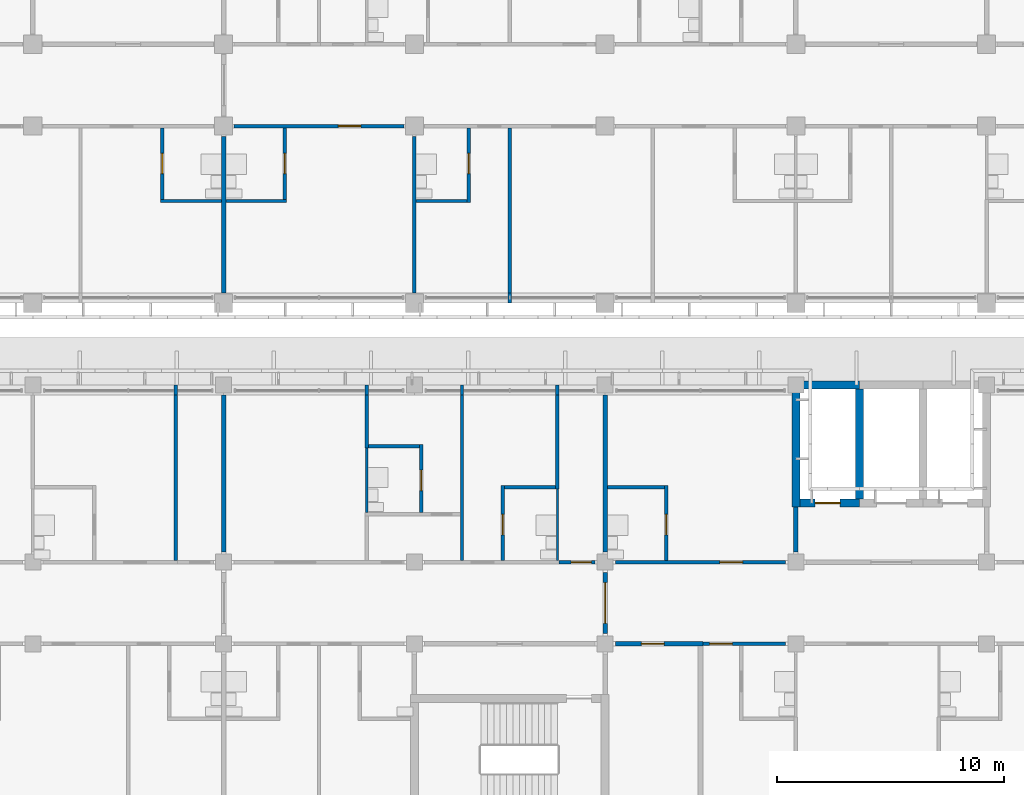
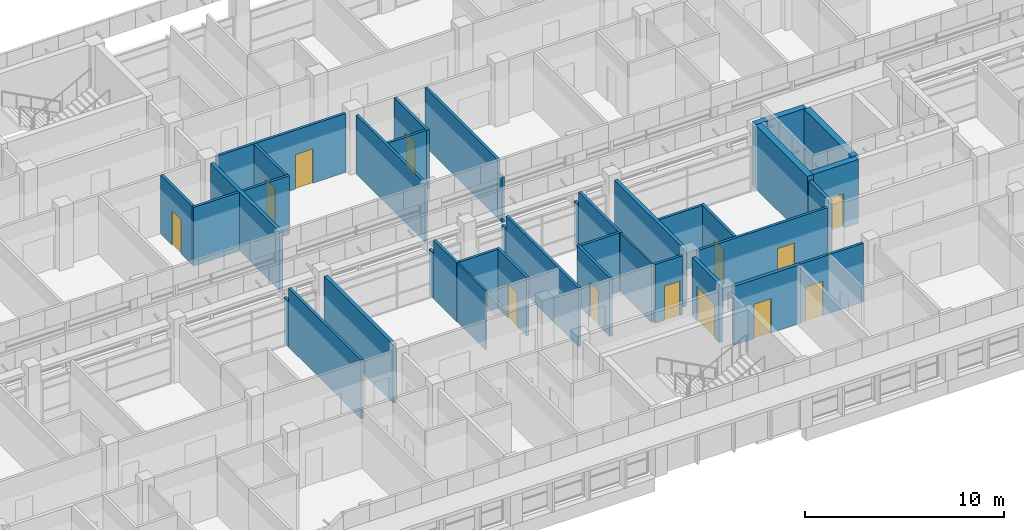
# One storey, part 34 of 71: 39 walls, 13 doors, 13 openings.
"""IFC4 building model written with IfcOpenShell, lengths in metres."""

from ifc_helpers import new_model, si_unit, direction, frame, frame_2d, origin, place, context, subcontext, project, spatial, rectangle, extrude, material, layer, layer_set, type_object, element, fill, save


model = new_model("IFC4")

# Units and contexts
model_context = context("Model", 3, precision=1e-05, world=origin(), true_north=direction((0.0, 1.0)))
body_context = subcontext(model_context, "Body", "Model", "MODEL_VIEW")
ifc_project = project(units=[si_unit("LENGTHUNIT", "METRE"), si_unit("AREAUNIT", "SQUARE_METRE"), si_unit("VOLUMEUNIT", "CUBIC_METRE"), si_unit("PLANEANGLEUNIT", "RADIAN"), si_unit("MASSUNIT", "GRAM", prefix="KILO")], contexts=[model_context])

# Site, building, storey
site_placement = place(None, origin())
site = spatial("IfcSite", under=ifc_project, at=site_placement, CompositionType="ELEMENT")
building_placement = place(site_placement, origin())
building = spatial("IfcBuilding", under=site, at=building_placement, Name="Bougainvillea Quay General Hospital", CompositionType="ELEMENT")
storey_placement = place(building_placement, frame((0.0, 0.0, 24.89990234375)))
storey = spatial("IfcBuildingStorey", under=building, at=storey_placement, Name="L05", CompositionType="ELEMENT", Elevation=24.89990234375)

# Walls
ifc_material_1 = material(Name="Gypsum board partition on steel studs", Category="steel")
ifc_layer_1 = layer(ifc_material_1, 0.10009765625)
ifc_layer_set_1 = layer_set([ifc_layer_1], Name="Gypsum board partition on steel studs")
wall_type_1 = type_object("IfcWallType", Name="Partition 100 Gypsum board partition", PredefinedType="PARTITIONING", material=ifc_layer_set_1)
wall_1_placement = place(storey_placement, frame((123.89990234375, 129.074951171875, 0.0), z_axis=(0.0, 0.0, 1.0), x_axis=(0.0, 1.0, 0.0)))
element("IfcWall", 1, at=wall_1_placement, inside=storey, type_object=wall_type_1, Name="Partition 100 mm", PredefinedType="PARTITIONING", context=body_context, shape_type="SweptSolid", body=[
    extrude(rectangle(XDim=3.150146484375, YDim=0.10009765625, at=frame_2d((1.5751953125, 0.0))), origin(), (0.0, 0.0, 1.0), 3.60009765625),
])
wall_2_placement = place(storey_placement, frame((115.5, 131.175048828125, 0.0), z_axis=(0.0, 0.0, 1.0), x_axis=(0.0, 1.0, 0.0)))
element("IfcWall", 2, at=wall_2_placement, inside=storey, type_object=wall_type_1, Name="Partition 100 mm", PredefinedType="PARTITIONING", context=body_context, shape_type="SweptSolid", body=[
    extrude(rectangle(XDim=2.849853515625, YDim=0.10009765625, at=frame_2d((1.4248046875, 0.0))), origin(), (0.0, 0.0, 1.0), 3.60009765625),
])
ifc_material_2 = material(Name="Gypsum board partition on steel studs, insulated", Category="steel")
ifc_layer_2 = layer(ifc_material_2, 0.14990234375)
ifc_layer_set_2 = layer_set([ifc_layer_2], Name="Gypsum board partition on steel studs, insulated")
wall_type_2 = type_object("IfcWallType", Name="Partition 150 Gypsum board partition", PredefinedType="PARTITIONING", material=ifc_layer_set_2)
wall_3_placement = place(storey_placement, frame((107.10009765625, 129.074951171875, 0.0), z_axis=(0.0, 0.0, 1.0), x_axis=(0.0, 1.0, 0.0)))
element("IfcWall", 3, at=wall_3_placement, inside=storey, type_object=wall_type_2, Name="Partition 150 mm", PredefinedType="PARTITIONING", context=body_context, shape_type="SweptSolid", body=[
    extrude(rectangle(XDim=7.275146484375, YDim=0.14990234375, at=frame_2d((3.6376953125, 0.0))), origin(), (0.0, 0.0, 1.0), 3.60009765625),
])
wall_4_placement = place(storey_placement, frame((107.10009765625, 136.35009765625, 0.0), z_axis=(0.0, 0.0, 1.0), x_axis=(0.0, 1.0, 0.0)))
element("IfcWall", 4, at=wall_4_placement, inside=storey, type_object=wall_type_2, Name="Partition 150 mm", PredefinedType="PARTITIONING", context=body_context, shape_type="SweptSolid", body=[
    extrude(rectangle(XDim=0.449951171875, YDim=0.14990234375, at=frame_2d((0.22509765625, 0.0))), origin(), (0.0, 0.0, 1.0), 2.780029296875),
])
wall_5_placement = place(storey_placement, frame((119.699951171875, 129.074951171875, 0.0), z_axis=(0.0, 0.0, 1.0), x_axis=(0.0, 1.0, 0.0)))
element("IfcWall", 5, at=wall_5_placement, inside=storey, type_object=wall_type_2, Name="Partition 150 mm", PredefinedType="PARTITIONING", context=body_context, shape_type="SweptSolid", body=[
    extrude(rectangle(XDim=7.275146484375, YDim=0.14990234375, at=frame_2d((3.6376953125, 0.0))), origin(), (0.0, 0.0, 1.0), 3.60009765625),
])
wall_6_placement = place(storey_placement, frame((119.699951171875, 136.35009765625, 0.0), z_axis=(0.0, 0.0, 1.0), x_axis=(0.0, 1.0, 0.0)))
element("IfcWall", 6, at=wall_6_placement, inside=storey, type_object=wall_type_2, Name="Partition 150 mm", PredefinedType="PARTITIONING", context=body_context, shape_type="SweptSolid", body=[
    extrude(rectangle(XDim=0.449951171875, YDim=0.14990234375, at=frame_2d((0.22509765625, 0.0))), origin(), (0.0, 0.0, 1.0), 2.780029296875),
])
wall_7_placement = place(storey_placement, frame((117.60009765625, 140.85009765625, 0.0), z_axis=(0.0, 0.0, 1.0), x_axis=(0.0, 1.0, 0.0)))
element("IfcWall", 7, at=wall_7_placement, inside=storey, type_object=wall_type_2, Name="Partition 150 mm", PredefinedType="PARTITIONING", context=body_context, shape_type="SweptSolid", body=[
    extrude(rectangle(XDim=6.89990234375, YDim=0.14990234375, at=frame_2d((3.449951171875, 0.0))), origin(), (0.0, 0.0, 1.0), 3.60009765625),
])
wall_8_placement = place(storey_placement, frame((121.800048828125, 140.39990234375, 0.0), z_axis=(0.0, 0.0, 1.0), x_axis=(0.0, 1.0, 0.0)))
element("IfcWall", 8, at=wall_8_placement, inside=storey, type_object=wall_type_2, Name="Partition 150 mm", PredefinedType="PARTITIONING", context=body_context, shape_type="SweptSolid", body=[
    extrude(rectangle(XDim=0.4501953125, YDim=0.14990234375, at=frame_2d((0.22509765625, 0.0))), origin(), (0.0, 0.0, 1.0), 2.780029296875),
])
wall_9_placement = place(storey_placement, frame((121.800048828125, 140.85009765625, 0.0), z_axis=(0.0, 0.0, 1.0), x_axis=(0.0, 1.0, 0.0)))
element("IfcWall", 9, at=wall_9_placement, inside=storey, type_object=wall_type_2, Name="Partition 150 mm", PredefinedType="PARTITIONING", context=body_context, shape_type="SweptSolid", body=[
    extrude(rectangle(XDim=7.27490234375, YDim=0.14990234375, at=frame_2d((3.637451171875, 0.0))), origin(), (0.0, 0.0, 1.0), 3.60009765625),
])
for number, where, z_axis, x_axis, name in (
    (10, (106.425048828125, 144.89990234375, 0.0), (0.0, 0.0, 1.0), (1.0, 0.0, 0.0), "Partition 150 mm"),
    (11, (109.300048828125, 144.89990234375, 0.0), (0.0, 0.0, 1.0), (1.0, 0.0, 0.0), "Partition 150 mm"),
):
    element("IfcWall", number, at=place(storey_placement, frame(where, z_axis=z_axis, x_axis=x_axis)), inside=storey, type_object=wall_type_2, Name=name, PredefinedType="PARTITIONING", context=body_context, shape_type="SweptSolid", body=[
        extrude(rectangle(XDim=2.675048828125, YDim=0.14990234375, at=frame_2d((1.33740234375, 0.0))), origin(), (0.0, 0.0, 1.0), 3.60009765625),
    ])
wall_10_placement = place(storey_placement, frame((123.89990234375, 132.22509765625, 0.0), z_axis=(0.0, 0.0, 1.0), x_axis=(0.0, 1.0, 0.0)))
element("IfcWall", 12, at=wall_10_placement, inside=storey, type_object=wall_type_2, Name="Partition 150 mm", PredefinedType="PARTITIONING", context=body_context, shape_type="SweptSolid", body=[
    extrude(rectangle(XDim=4.125, YDim=0.14990234375, at=frame_2d((2.0625, 0.0))), origin(), (0.0, 0.0, 1.0), 3.60009765625),
])
wall_11_placement = place(storey_placement, frame((123.89990234375, 136.35009765625, 0.0), z_axis=(0.0, 0.0, 1.0), x_axis=(0.0, 1.0, 0.0)))
element("IfcWall", 13, at=wall_11_placement, inside=storey, type_object=wall_type_2, Name="Partition 150 mm", PredefinedType="PARTITIONING", context=body_context, shape_type="SweptSolid", body=[
    extrude(rectangle(XDim=0.449951171875, YDim=0.14990234375, at=frame_2d((0.22509765625, 0.0))), origin(), (0.0, 0.0, 1.0), 2.780029296875),
])

# Wall, opening, door
wall_12_placement = place(storey_placement, frame((121.5, 129.074951171875, 0.0), z_axis=(0.0, 0.0, 1.0), x_axis=(0.0, 1.0, 0.0)))
wall_12 = element("IfcWall", 14, at=wall_12_placement, inside=storey, type_object=wall_type_2, Name="Partition 150 mm", PredefinedType="PARTITIONING", context=body_context, shape_type="SweptSolid", body=[
    extrude(rectangle(XDim=3.300048828125, YDim=0.14990234375, at=frame_2d((1.64990234375, 0.0))), origin(), (0.0, 0.0, 1.0), 3.60009765625),
])
opening_1_placement = place(wall_12_placement, frame((1.125, 0.0, 0.0)))
opening_1 = element("IfcOpeningElement", 15, at=opening_1_placement, cuts=wall_12, Name="Opening L05.121", PredefinedType="OPENING", context=body_context, shape_type="SweptSolid", body=[
    extrude(rectangle(XDim=0.89990234375, YDim=2.10009765625, at=frame_2d((0.449951171875, 1.050048828125))), frame((0.0, 0.0849609375, 0.0), z_axis=(0.0, -1.0, 0.0), x_axis=(1.0, 0.0, 0.0)), (0.0, 0.0, 1.0), 0.169921875),
])
ifc_material_3 = material(Name="Solid-core timber door leaf in steel frame", Category="steel")
door_type_1 = type_object("IfcDoorType", Name="Single leaf door 900x2100", OperationType="NOTDEFINED", PredefinedType="DOOR", material=ifc_material_3)
door_1_placement = place(opening_1_placement, frame((0.89990234375, 0.0, 0.0), z_axis=(0.0, 0.0, 1.0), x_axis=(-1.0, 0.0, 0.0)))
door_1 = element("IfcDoor", 16, at=door_1_placement, inside=storey, type_object=door_type_1, Name="DT07 L05.121", OperationType="SINGLE_SWING_RIGHT", OverallHeight=2.10009765625, OverallWidth=0.89990234375, PredefinedType="DOOR", context=body_context, shape_type="SweptSolid", body=[
    extrude(rectangle(XDim=0.89990234375, YDim=2.10009765625, at=frame_2d((0.449951171875, 1.050048828125))), frame((0.0, 0.02490234375, 0.0), z_axis=(0.0, -1.0, 0.0), x_axis=(1.0, 0.0, 0.0)), (0.0, 0.0, 1.0), 0.050048828125),
])
fill(opening_1, door_1)

wall_13_placement = place(storey_placement, frame((128.699951171875, 129.074951171875, 0.0), z_axis=(0.0, 0.0, 1.0), x_axis=(0.0, 1.0, 0.0)))
wall_13 = element("IfcWall", 17, at=wall_13_placement, inside=storey, type_object=wall_type_2, Name="Partition 150 mm", PredefinedType="PARTITIONING", context=body_context, shape_type="SweptSolid", body=[
    extrude(rectangle(XDim=3.300048828125, YDim=0.14990234375, at=frame_2d((1.64990234375, 0.0))), origin(), (0.0, 0.0, 1.0), 3.60009765625),
])
opening_2_placement = place(wall_13_placement, frame((1.125, 0.0, 0.0)))
opening_2 = element("IfcOpeningElement", 18, at=opening_2_placement, cuts=wall_13, Name="Opening L05.124", PredefinedType="OPENING", context=body_context, shape_type="SweptSolid", body=[
    extrude(rectangle(XDim=0.89990234375, YDim=2.10009765625, at=frame_2d((0.449951171875, 1.050048828125))), frame((0.0, 0.0849609375, 0.0), z_axis=(0.0, -1.0, 0.0), x_axis=(1.0, 0.0, 0.0)), (0.0, 0.0, 1.0), 0.169921875),
])
door_2_placement = place(opening_2_placement, origin())
door_2 = element("IfcDoor", 19, at=door_2_placement, inside=storey, type_object=door_type_1, Name="DT07 L05.124", OperationType="SINGLE_SWING_LEFT", OverallHeight=2.10009765625, OverallWidth=0.89990234375, PredefinedType="DOOR", context=body_context, shape_type="SweptSolid", body=[
    extrude(rectangle(XDim=0.89990234375, YDim=2.10009765625, at=frame_2d((0.449951171875, 1.050048828125))), frame((0.0, 0.02490234375, 0.0), z_axis=(0.0, -1.0, 0.0), x_axis=(1.0, 0.0, 0.0)), (0.0, 0.0, 1.0), 0.050048828125),
])
fill(opening_2, door_2)

wall_14_placement = place(storey_placement, frame((106.5, 144.97509765625, 0.0), z_axis=(0.0, 0.0, 1.0), x_axis=(0.0, 1.0, 0.0)))
wall_14 = element("IfcWall", 20, at=wall_14_placement, inside=storey, type_object=wall_type_2, Name="Partition 150 mm", PredefinedType="PARTITIONING", context=body_context, shape_type="SweptSolid", body=[
    extrude(rectangle(XDim=3.14990234375, YDim=0.14990234375, at=frame_2d((1.574951171875, 0.0))), origin(), (0.0, 0.0, 1.0), 3.60009765625),
])
opening_3_placement = place(wall_14_placement, frame((1.125, 0.0, 0.0)))
opening_3 = element("IfcOpeningElement", 21, at=opening_3_placement, cuts=wall_14, Name="Opening L05.028", PredefinedType="OPENING", context=body_context, shape_type="SweptSolid", body=[
    extrude(rectangle(XDim=0.89990234375, YDim=2.10009765625, at=frame_2d((0.449951171875, 1.050048828125))), frame((0.0, 0.0849609375, 0.0), z_axis=(0.0, -1.0, 0.0), x_axis=(1.0, 0.0, 0.0)), (0.0, 0.0, 1.0), 0.169921875),
])
door_3_placement = place(opening_3_placement, frame((0.89990234375, 0.0, 0.0), z_axis=(0.0, 0.0, 1.0), x_axis=(-1.0, 0.0, 0.0)))
door_3 = element("IfcDoor", 22, at=door_3_placement, inside=storey, type_object=door_type_1, Name="DT07 L05.028", OperationType="SINGLE_SWING_LEFT", OverallHeight=2.10009765625, OverallWidth=0.89990234375, PredefinedType="DOOR", context=body_context, shape_type="SweptSolid", body=[
    extrude(rectangle(XDim=0.89990234375, YDim=2.10009765625, at=frame_2d((0.449951171875, 1.050048828125))), frame((0.0, 0.02490234375, 0.0), z_axis=(0.0, -1.0, 0.0), x_axis=(1.0, 0.0, 0.0)), (0.0, 0.0, 1.0), 0.050048828125),
])
fill(opening_3, door_3)

wall_15_placement = place(storey_placement, frame((111.89990234375, 144.97509765625, 0.0), z_axis=(0.0, 0.0, 1.0), x_axis=(0.0, 1.0, 0.0)))
wall_15 = element("IfcWall", 23, at=wall_15_placement, inside=storey, type_object=wall_type_2, Name="Partition 150 mm", PredefinedType="PARTITIONING", context=body_context, shape_type="SweptSolid", body=[
    extrude(rectangle(XDim=3.14990234375, YDim=0.14990234375, at=frame_2d((1.574951171875, 0.0))), origin(), (0.0, 0.0, 1.0), 3.60009765625),
])
opening_4_placement = place(wall_15_placement, frame((1.125, 0.0, 0.0)))
opening_4 = element("IfcOpeningElement", 24, at=opening_4_placement, cuts=wall_15, Name="Opening L05.032", PredefinedType="OPENING", context=body_context, shape_type="SweptSolid", body=[
    extrude(rectangle(XDim=0.89990234375, YDim=2.10009765625, at=frame_2d((0.449951171875, 1.050048828125))), frame((0.0, 0.0849609375, 0.0), z_axis=(0.0, -1.0, 0.0), x_axis=(1.0, 0.0, 0.0)), (0.0, 0.0, 1.0), 0.169921875),
])
door_4_placement = place(opening_4_placement, origin())
door_4 = element("IfcDoor", 25, at=door_4_placement, inside=storey, type_object=door_type_1, Name="DT07 L05.032", OperationType="SINGLE_SWING_RIGHT", OverallHeight=2.10009765625, OverallWidth=0.89990234375, PredefinedType="DOOR", context=body_context, shape_type="SweptSolid", body=[
    extrude(rectangle(XDim=0.89990234375, YDim=2.10009765625, at=frame_2d((0.449951171875, 1.050048828125))), frame((0.0, 0.02490234375, 0.0), z_axis=(0.0, -1.0, 0.0), x_axis=(1.0, 0.0, 0.0)), (0.0, 0.0, 1.0), 0.050048828125),
])
fill(opening_4, door_4)

wall_16_placement = place(storey_placement, frame((120.0, 144.824951171875, 0.0), z_axis=(0.0, 0.0, 1.0), x_axis=(0.0, 1.0, 0.0)))
wall_16 = element("IfcWall", 26, at=wall_16_placement, inside=storey, type_object=wall_type_2, Name="Partition 150 mm", PredefinedType="PARTITIONING", context=body_context, shape_type="SweptSolid", body=[
    extrude(rectangle(XDim=3.300048828125, YDim=0.14990234375, at=frame_2d((1.64990234375, 0.0))), origin(), (0.0, 0.0, 1.0), 3.60009765625),
])
opening_5_placement = place(wall_16_placement, frame((1.27490234375, 0.0, 0.0)))
opening_5 = element("IfcOpeningElement", 27, at=opening_5_placement, cuts=wall_16, Name="Opening L05.034", PredefinedType="OPENING", context=body_context, shape_type="SweptSolid", body=[
    extrude(rectangle(XDim=0.89990234375, YDim=2.10009765625, at=frame_2d((0.449951171875, 1.050048828125))), frame((0.0, 0.0849609375, 0.0), z_axis=(0.0, -1.0, 0.0), x_axis=(1.0, 0.0, 0.0)), (0.0, 0.0, 1.0), 0.169921875),
])
door_5_placement = place(opening_5_placement, origin())
door_5 = element("IfcDoor", 28, at=door_5_placement, inside=storey, type_object=door_type_1, Name="DT07 L05.034", OperationType="SINGLE_SWING_RIGHT", OverallHeight=2.10009765625, OverallWidth=0.89990234375, PredefinedType="DOOR", context=body_context, shape_type="SweptSolid", body=[
    extrude(rectangle(XDim=0.89990234375, YDim=2.10009765625, at=frame_2d((0.449951171875, 1.050048828125))), frame((0.0, 0.02490234375, 0.0), z_axis=(0.0, -1.0, 0.0), x_axis=(1.0, 0.0, 0.0)), (0.0, 0.0, 1.0), 0.050048828125),
])
fill(opening_5, door_5)

wall_17_placement = place(storey_placement, frame((117.89990234375, 131.175048828125, 0.0), z_axis=(0.0, 0.0, 1.0), x_axis=(0.0, 1.0, 0.0)))
wall_17 = element("IfcWall", 29, at=wall_17_placement, inside=storey, type_object=wall_type_2, Name="Partition 150 mm", PredefinedType="PARTITIONING", context=body_context, shape_type="SweptSolid", body=[
    extrude(rectangle(XDim=3.0, YDim=0.14990234375, at=frame_2d((1.5, 0.0))), origin(), (0.0, 0.0, 1.0), 3.60009765625),
])
opening_6_placement = place(wall_17_placement, frame((0.97509765625, 0.0, 0.0)))
opening_6 = element("IfcOpeningElement", 30, at=opening_6_placement, cuts=wall_17, Name="Opening L05.119", PredefinedType="OPENING", context=body_context, shape_type="SweptSolid", body=[
    extrude(rectangle(XDim=0.89990234375, YDim=2.10009765625, at=frame_2d((0.449951171875, 1.050048828125))), frame((0.0, 0.0849609375, 0.0), z_axis=(0.0, -1.0, 0.0), x_axis=(1.0, 0.0, 0.0)), (0.0, 0.0, 1.0), 0.169921875),
])
door_6_placement = place(opening_6_placement, origin())
door_6 = element("IfcDoor", 31, at=door_6_placement, inside=storey, type_object=door_type_1, Name="DT07 L05.119", OperationType="SINGLE_SWING_LEFT", OverallHeight=2.10009765625, OverallWidth=0.89990234375, PredefinedType="DOOR", context=body_context, shape_type="SweptSolid", body=[
    extrude(rectangle(XDim=0.89990234375, YDim=2.10009765625, at=frame_2d((0.449951171875, 1.050048828125))), frame((0.0, 0.02490234375, 0.0), z_axis=(0.0, -1.0, 0.0), x_axis=(1.0, 0.0, 0.0)), (0.0, 0.0, 1.0), 0.050048828125),
])
fill(opening_6, door_6)

# Walls
wall_18_placement = place(storey_placement, frame((115.5, 134.02490234375, 0.0), z_axis=(0.0, 0.0, 1.0), x_axis=(0.0, 1.0, 0.0)))
element("IfcWall", 32, at=wall_18_placement, inside=storey, type_object=wall_type_2, Name="Partition 150 mm", PredefinedType="PARTITIONING", context=body_context, shape_type="SweptSolid", body=[
    extrude(rectangle(XDim=2.3251953125, YDim=0.14990234375, at=frame_2d((1.16259765625, 0.0))), origin(), (0.0, 0.0, 1.0), 3.60009765625),
])
wall_19_placement = place(storey_placement, frame((115.5, 136.35009765625, 0.0), z_axis=(0.0, 0.0, 1.0), x_axis=(0.0, 1.0, 0.0)))
element("IfcWall", 33, at=wall_19_placement, inside=storey, type_object=wall_type_2, Name="Partition 150 mm", PredefinedType="PARTITIONING", context=body_context, shape_type="SweptSolid", body=[
    extrude(rectangle(XDim=0.449951171875, YDim=0.14990234375, at=frame_2d((0.22509765625, 0.0))), origin(), (0.0, 0.0, 1.0), 2.780029296875),
])
wall_20_placement = place(storey_placement, frame((126.10009765625, 132.300048828125, 0.0), z_axis=(0.0, 0.0, 1.0), x_axis=(1.0, 0.0, 0.0)))
element("IfcWall", 34, at=wall_20_placement, inside=storey, type_object=wall_type_2, Name="Partition 150 mm", PredefinedType="PARTITIONING", context=body_context, shape_type="SweptSolid", body=[
    extrude(rectangle(XDim=2.52490234375, YDim=0.14990234375, at=frame_2d((1.262451171875, 0.0))), origin(), (0.0, 0.0, 1.0), 3.60009765625),
])
for number, where, z_axis, x_axis, name in (
    (35, (115.574951171875, 134.10009765625, 0.0), (0.0, 0.0, 1.0), (1.0, 0.0, 0.0), "Partition 150 mm"),
    (36, (117.675048828125, 144.89990234375, 0.0), (0.0, 0.0, 1.0), (1.0, 0.0, 0.0), "Partition 150 mm"),
    (37, (121.574951171875, 132.300048828125, 0.0), (0.0, 0.0, 1.0), (1.0, 0.0, 0.0), "Partition 150 mm"),
):
    element("IfcWall", number, at=place(storey_placement, frame(where, z_axis=z_axis, x_axis=x_axis)), inside=storey, type_object=wall_type_2, Name=name, PredefinedType="PARTITIONING", context=body_context, shape_type="SweptSolid", body=[
        extrude(rectangle(XDim=2.25, YDim=0.14990234375, at=frame_2d((1.125, 0.0))), origin(), (0.0, 0.0, 1.0), 3.60009765625),
    ])

# Wall, opening, door
ifc_layer_3 = layer(ifc_material_2, 0.14990234375)
ifc_layer_set_3 = layer_set([ifc_layer_3], Name="Gypsum board partition on steel studs, insulated")
wall_type_3 = type_object("IfcWallType", Name="Partition 150 Gypsum board partition EI 30", PredefinedType="PARTITIONING", material=ifc_layer_set_3)
wall_21_placement = place(storey_placement, frame((117.14990234375, 148.199951171875, 0.0), z_axis=(0.0, 0.0, 1.0), x_axis=(-1.0, 0.0, 0.0)))
wall_21 = element("IfcWall", 38, at=wall_21_placement, inside=storey, type_object=wall_type_3, Name="Partition 150 mm EI 30", PredefinedType="PARTITIONING", context=body_context, shape_type="SweptSolid", body=[
    extrude(rectangle(XDim=7.5, YDim=0.14990234375, at=frame_2d((3.75, 0.0))), origin(), (0.0, 0.0, 1.0), 3.60009765625),
])
opening_7_placement = place(wall_21_placement, frame((1.89990234375, 0.0, 0.0)))
opening_7 = element("IfcOpeningElement", 39, at=opening_7_placement, cuts=wall_21, Name="Opening L05.031", PredefinedType="OPENING", context=body_context, shape_type="SweptSolid", body=[
    extrude(rectangle(XDim=1.0, YDim=2.10009765625, at=frame_2d((0.5, 1.050048828125))), frame((0.0, 0.0849609375, 0.0), z_axis=(0.0, -1.0, 0.0), x_axis=(1.0, 0.0, 0.0)), (0.0, 0.0, 1.0), 0.169921875),
])
door_type_2 = type_object("IfcDoorType", Name="Single leaf door 1000x2100 FD30S", OperationType="NOTDEFINED", PredefinedType="DOOR", material=ifc_material_3)
door_7_placement = place(opening_7_placement, origin())
door_7 = element("IfcDoor", 40, at=door_7_placement, inside=storey, type_object=door_type_2, Name="DT15 L05.031", OperationType="SINGLE_SWING_LEFT", OverallHeight=2.10009765625, OverallWidth=1.0, PredefinedType="DOOR", context=body_context, shape_type="SweptSolid", body=[
    extrude(rectangle(XDim=1.0, YDim=2.10009765625, at=frame_2d((0.5, 1.050048828125))), frame((0.0, 0.02490234375, 0.0), z_axis=(0.0, -1.0, 0.0), x_axis=(1.0, 0.0, 0.0)), (0.0, 0.0, 1.0), 0.050048828125),
])
fill(opening_7, door_7)

wall_22_placement = place(storey_placement, frame((133.949951171875, 125.39990234375, 0.0), z_axis=(0.0, 0.0, 1.0), x_axis=(-1.0, 0.0, 0.0)))
wall_22 = element("IfcWall", 41, at=wall_22_placement, inside=storey, type_object=wall_type_3, Name="Partition 150 mm EI 30", PredefinedType="PARTITIONING", context=body_context, shape_type="SweptSolid", body=[
    extrude(rectangle(XDim=3.64990234375, YDim=0.14990234375, at=frame_2d((1.824951171875, 0.0))), origin(), (0.0, 0.0, 1.0), 3.60009765625),
])
opening_8_placement = place(wall_22_placement, frame((2.35009765625, 0.0, 0.0)))
opening_8 = element("IfcOpeningElement", 42, at=opening_8_placement, cuts=wall_22, Name="Opening L05.125", PredefinedType="OPENING", context=body_context, shape_type="SweptSolid", body=[
    extrude(rectangle(XDim=1.0, YDim=2.10009765625, at=frame_2d((0.5, 1.050048828125))), frame((0.0, 0.0849609375, 0.0), z_axis=(0.0, -1.0, 0.0), x_axis=(1.0, 0.0, 0.0)), (0.0, 0.0, 1.0), 0.169921875),
])
door_8_placement = place(opening_8_placement, origin())
door_8 = element("IfcDoor", 43, at=door_8_placement, inside=storey, type_object=door_type_2, Name="DT15 L05.125", OperationType="SINGLE_SWING_RIGHT", OverallHeight=2.10009765625, OverallWidth=1.0, PredefinedType="DOOR", context=body_context, shape_type="SweptSolid", body=[
    extrude(rectangle(XDim=1.0, YDim=2.10009765625, at=frame_2d((0.5, 1.050048828125))), frame((0.0, 0.02490234375, 0.0), z_axis=(0.0, -1.0, 0.0), x_axis=(1.0, 0.0, 0.0)), (0.0, 0.0, 1.0), 0.050048828125),
])
fill(opening_8, door_8)

wall_23_placement = place(storey_placement, frame((126.449951171875, 129.0, 0.0), z_axis=(0.0, 0.0, 1.0), x_axis=(1.0, 0.0, 0.0)))
wall_23 = element("IfcWall", 44, at=wall_23_placement, inside=storey, type_object=wall_type_3, Name="Partition 150 mm EI 30", PredefinedType="PARTITIONING", context=body_context, shape_type="SweptSolid", body=[
    extrude(rectangle(XDim=7.5, YDim=0.14990234375, at=frame_2d((3.75, 0.0))), origin(), (0.0, 0.0, 1.0), 3.60009765625),
])
opening_9_placement = place(wall_23_placement, frame((4.60009765625, 0.0, 0.0)))
opening_9 = element("IfcOpeningElement", 45, at=opening_9_placement, cuts=wall_23, Name="Opening L05.123", PredefinedType="OPENING", context=body_context, shape_type="SweptSolid", body=[
    extrude(rectangle(XDim=1.0, YDim=2.10009765625, at=frame_2d((0.5, 1.050048828125))), frame((0.0, 0.0849609375, 0.0), z_axis=(0.0, -1.0, 0.0), x_axis=(1.0, 0.0, 0.0)), (0.0, 0.0, 1.0), 0.169921875),
])
door_9_placement = place(opening_9_placement, origin())
door_9 = element("IfcDoor", 46, at=door_9_placement, inside=storey, type_object=door_type_2, Name="DT15 L05.123", OperationType="SINGLE_SWING_RIGHT", OverallHeight=2.10009765625, OverallWidth=1.0, PredefinedType="DOOR", context=body_context, shape_type="SweptSolid", body=[
    extrude(rectangle(XDim=1.0, YDim=2.10009765625, at=frame_2d((0.5, 1.050048828125))), frame((0.0, 0.02490234375, 0.0), z_axis=(0.0, -1.0, 0.0), x_axis=(1.0, 0.0, 0.0)), (0.0, 0.0, 1.0), 0.050048828125),
])
fill(opening_9, door_9)

ifc_layer_4 = layer(ifc_material_2, 0.14990234375)
ifc_layer_set_4 = layer_set([ifc_layer_4], Name="Gypsum board partition on steel studs, insulated")
wall_type_4 = type_object("IfcWallType", Name="Partition 150 Gypsum board partition EI 60", PredefinedType="PARTITIONING", material=ifc_layer_set_4)
wall_24_placement = place(storey_placement, frame((123.97509765625, 129.0, 0.0), z_axis=(0.0, 0.0, 1.0), x_axis=(1.0, 0.0, 0.0)))
wall_24 = element("IfcWall", 47, at=wall_24_placement, inside=storey, type_object=wall_type_4, Name="Partition 150 mm EI 60", PredefinedType="PARTITIONING", context=body_context, shape_type="SweptSolid", body=[
    extrude(rectangle(XDim=1.574951171875, YDim=0.14990234375, at=frame_2d((0.78759765625, 0.0))), origin(), (0.0, 0.0, 1.0), 3.60009765625),
])
opening_10_placement = place(wall_24_placement, frame((0.52490234375, 0.0, 0.0)))
opening_10 = element("IfcOpeningElement", 48, at=opening_10_placement, cuts=wall_24, Name="Opening L05.122", PredefinedType="OPENING", context=body_context, shape_type="SweptSolid", body=[
    extrude(rectangle(XDim=0.89990234375, YDim=2.10009765625, at=frame_2d((0.449951171875, 1.050048828125))), frame((0.0, 0.0849609375, 0.0), z_axis=(0.0, -1.0, 0.0), x_axis=(1.0, 0.0, 0.0)), (0.0, 0.0, 1.0), 0.169921875),
])
door_type_3 = type_object("IfcDoorType", Name="Single leaf door 900x2100 FD60", OperationType="NOTDEFINED", PredefinedType="DOOR", material=ifc_material_3)
door_10_placement = place(opening_10_placement, origin())
door_10 = element("IfcDoor", 49, at=door_10_placement, inside=storey, type_object=door_type_3, Name="DT18 L05.122", OperationType="SINGLE_SWING_RIGHT", OverallHeight=2.10009765625, OverallWidth=0.89990234375, PredefinedType="DOOR", context=body_context, shape_type="SweptSolid", body=[
    extrude(rectangle(XDim=0.89990234375, YDim=2.10009765625, at=frame_2d((0.449951171875, 1.050048828125))), frame((0.0, 0.02490234375, 0.0), z_axis=(0.0, -1.0, 0.0), x_axis=(1.0, 0.0, 0.0)), (0.0, 0.0, 1.0), 0.050048828125),
])
fill(opening_10, door_10)

# Walls
ifc_material_4 = material(Name="Fire-rated autoclaved aerated block wall, plastered")
ifc_layer_5 = layer(ifc_material_4, 0.199951171875)
ifc_layer_set_5 = layer_set([ifc_layer_5], Name="Fire-rated autoclaved aerated block wall, plastered")
wall_type_5 = type_object("IfcWallType", Name="Partition 200 Fire-rated autoclaved aerated block wall EI 120", PredefinedType="SOLIDWALL", material=ifc_layer_set_5)
for number, where, z_axis, x_axis, name in (
    (50, (109.199951171875, 136.35009765625, 0.0), (0.0, 0.0, 1.0), (0.0, -1.0, 0.0), "Partition 200 mm EI 120"),
    (51, (126.0, 136.35009765625, 0.0), (0.0, 0.0, 1.0), (0.0, -1.0, 0.0), "Partition 200 mm EI 120"),
):
    element("IfcWall", number, at=place(storey_placement, frame(where, z_axis=z_axis, x_axis=x_axis)), inside=storey, type_object=wall_type_5, Name=name, PredefinedType="SOLIDWALL", context=body_context, shape_type="SweptSolid", body=[
        extrude(rectangle(XDim=6.900146484375, YDim=0.199951171875, at=frame_2d((3.4501953125, 0.0))), origin(), (0.0, 0.0, 1.0), 3.60009765625),
    ])

# Wall, opening, door
wall_25_placement = place(storey_placement, frame((126.0, 128.550048828125, 0.0), z_axis=(0.0, 0.0, 1.0), x_axis=(0.0, -1.0, 0.0)))
wall_25 = element("IfcWall", 52, at=wall_25_placement, inside=storey, type_object=wall_type_5, Name="Partition 200 mm EI 120", PredefinedType="SOLIDWALL", context=body_context, shape_type="SweptSolid", body=[
    extrude(rectangle(XDim=2.699951171875, YDim=0.199951171875, at=frame_2d((1.35009765625, 0.0))), origin(), (0.0, 0.0, 1.0), 3.60009765625),
])
opening_11_placement = place(wall_25_placement, frame((0.449951171875, 0.0, 0.0)))
opening_11 = element("IfcOpeningElement", 53, at=opening_11_placement, cuts=wall_25, Name="Opening L05.077", PredefinedType="OPENING", context=body_context, shape_type="SweptSolid", body=[
    extrude(rectangle(XDim=1.800048828125, YDim=2.10009765625, at=frame_2d((0.89990234375, 1.050048828125))), frame((0.0, 0.10986328125, 0.0), z_axis=(0.0, -1.0, 0.0), x_axis=(1.0, 0.0, 0.0)), (0.0, 0.0, 1.0), 0.219970703125),
])
ifc_material_5 = material(Name="Steel fire door leaves in steel frame", Category="steel")
door_type_4 = type_object("IfcDoorType", Name="Steel double leaf door 1800x2100 FD90", OperationType="DOUBLE_DOOR_SINGLE_SWING", PredefinedType="DOOR", material=ifc_material_5)
door_11_placement = place(opening_11_placement, origin())
door_11 = element("IfcDoor", 54, at=door_11_placement, inside=storey, type_object=door_type_4, Name="DT03 L05.077", OperationType="DOUBLE_DOOR_SINGLE_SWING", OverallHeight=2.10009765625, OverallWidth=1.800048828125, PredefinedType="DOOR", context=body_context, shape_type="SweptSolid", body=[
    extrude(rectangle(XDim=1.800048828125, YDim=2.10009765625, at=frame_2d((0.89990234375, 1.050048828125))), frame((0.0, 0.02490234375, 0.0), z_axis=(0.0, -1.0, 0.0), x_axis=(1.0, 0.0, 0.0)), (0.0, 0.0, 1.0), 0.050048828125),
])
fill(opening_11, door_11)

# Wall
wall_26_placement = place(storey_placement, frame((109.199951171875, 147.75, 0.0), z_axis=(0.0, 0.0, 1.0), x_axis=(0.0, -1.0, 0.0)))
element("IfcWall", 55, at=wall_26_placement, inside=storey, type_object=wall_type_5, Name="Partition 200 mm EI 120", PredefinedType="SOLIDWALL", context=body_context, shape_type="SweptSolid", body=[
    extrude(rectangle(XDim=6.89990234375, YDim=0.199951171875, at=frame_2d((3.449951171875, 0.0))), origin(), (0.0, 0.0, 1.0), 3.60009765625),
])

# Wall, opening, door
wall_27_placement = place(storey_placement, frame((126.449951171875, 125.39990234375, 0.0), z_axis=(0.0, 0.0, 1.0), x_axis=(1.0, 0.0, 0.0)))
wall_27 = element("IfcWall", 56, at=wall_27_placement, inside=storey, type_object=wall_type_5, Name="Partition 200 mm EI 120", PredefinedType="SOLIDWALL", context=body_context, shape_type="SweptSolid", body=[
    extrude(rectangle(XDim=3.85009765625, YDim=0.199951171875, at=frame_2d((1.925048828125, 0.0))), origin(), (0.0, 0.0, 1.0), 3.60009765625),
])
opening_12_placement = place(wall_27_placement, frame((1.14990234375, 0.0, 0.0)))
opening_12 = element("IfcOpeningElement", 57, at=opening_12_placement, cuts=wall_27, Name="Opening L05.145", PredefinedType="OPENING", context=body_context, shape_type="SweptSolid", body=[
    extrude(rectangle(XDim=1.0, YDim=2.10009765625, at=frame_2d((0.5, 1.050048828125))), frame((0.0, 0.10986328125, 0.0), z_axis=(0.0, -1.0, 0.0), x_axis=(1.0, 0.0, 0.0)), (0.0, 0.0, 1.0), 0.219970703125),
])
ifc_material_6 = material(Name="Steel fire door leaf in steel frame", Category="steel")
door_type_5 = type_object("IfcDoorType", Name="Steel single leaf door 1000x2100 FD90", OperationType="NOTDEFINED", PredefinedType="DOOR", material=ifc_material_6)
door_12_placement = place(opening_12_placement, frame((1.0, 0.0, 0.0), z_axis=(0.0, 0.0, 1.0), x_axis=(-1.0, 0.0, 0.0)))
door_12 = element("IfcDoor", 58, at=door_12_placement, inside=storey, type_object=door_type_5, Name="DT11 L05.145", OperationType="SINGLE_SWING_RIGHT", OverallHeight=2.10009765625, OverallWidth=1.0, PredefinedType="DOOR", context=body_context, shape_type="SweptSolid", body=[
    extrude(rectangle(XDim=1.0, YDim=2.10009765625, at=frame_2d((0.5, 1.050048828125))), frame((0.0, 0.02490234375, 0.0), z_axis=(0.0, -1.0, 0.0), x_axis=(1.0, 0.0, 0.0)), (0.0, 0.0, 1.0), 0.050048828125),
])
fill(opening_12, door_12)

# Walls
wall_28_placement = place(storey_placement, frame((134.39990234375, 129.449951171875, 0.0), z_axis=(0.0, 0.0, 1.0), x_axis=(0.0, 1.0, 0.0)))
element("IfcWall", 59, at=wall_28_placement, inside=storey, type_object=wall_type_5, Name="Partition 200 mm EI 120", PredefinedType="SOLIDWALL", context=body_context, shape_type="SweptSolid", body=[
    extrude(rectangle(XDim=1.97509765625, YDim=0.199951171875, at=frame_2d((0.987548828125, 0.0))), origin(), (0.0, 0.0, 1.0), 3.60009765625),
])
ifc_material_7 = material(Name="Concrete C40", Category="concrete")
ifc_layer_6 = layer(ifc_material_7, 0.35009765625)
ifc_layer_set_6 = layer_set([ifc_layer_6], Name="Concrete C40")
wall_type_6 = type_object("IfcWallType", Name="RC SHEAR WALL 350 C40", PredefinedType="SHEAR", material=ifc_layer_set_6)
wall_29_placement = place(storey_placement, frame((134.22509765625, 136.800048828125, 0.0), z_axis=(0.0, 0.0, 1.0), x_axis=(1.0, 0.0, 0.0)))
element("IfcWall", 60, at=wall_29_placement, inside=storey, type_object=wall_type_6, Name="Shear wall L05", PredefinedType="SHEAR", context=body_context, shape_type="SweptSolid", body=[
    extrude(rectangle(XDim=2.974853515625, YDim=0.35009765625, at=frame_2d((1.4873046875, 0.0))), origin(), (0.0, 0.0, 1.0), 3.900146484375),
])
wall_30_placement = place(storey_placement, frame((134.39990234375, 131.425048828125, 0.0), z_axis=(0.0, 0.0, 1.0), x_axis=(0.0, 1.0, 0.0)))
element("IfcWall", 61, at=wall_30_placement, inside=storey, type_object=wall_type_6, Name="Shear wall L05", PredefinedType="SHEAR", context=body_context, shape_type="SweptSolid", body=[
    extrude(rectangle(XDim=5.199951171875, YDim=0.35009765625, at=frame_2d((2.60009765625, 0.0))), origin(), (0.0, 0.0, 1.0), 3.900146484375),
])

# Wall, opening, door
wall_31_placement = place(storey_placement, frame((134.574951171875, 131.60009765625, 0.0), z_axis=(0.0, 0.0, 1.0), x_axis=(1.0, 0.0, 0.0)))
wall_31 = element("IfcWall", 62, at=wall_31_placement, inside=storey, type_object=wall_type_6, Name="Shear wall L05", PredefinedType="SHEAR", context=body_context, shape_type="SweptSolid", body=[
    extrude(rectangle(XDim=2.625, YDim=0.35009765625, at=frame_2d((1.3125, 0.0))), origin(), (0.0, 0.0, 1.0), 3.900146484375),
])
opening_13_placement = place(wall_31_placement, frame((0.675048828125, 0.0, 0.0)))
opening_13 = element("IfcOpeningElement", 63, at=opening_13_placement, cuts=wall_31, Name="Opening LD-B2.1-L05", PredefinedType="OPENING", context=body_context, shape_type="SweptSolid", body=[
    extrude(rectangle(XDim=1.10009765625, YDim=2.10009765625, at=frame_2d((0.550048828125, 1.050048828125))), frame((0.0, 0.18505859375, 0.0), z_axis=(0.0, -1.0, 0.0), x_axis=(1.0, 0.0, 0.0)), (0.0, 0.0, 1.0), 0.3701171875),
])
ifc_material_8 = material(Name="Stainless steel centre-opening landing door", Category="steel")
door_type_6 = type_object("IfcDoorType", Name="Lift landing door 1100x2100 E 120", OperationType="DOUBLE_DOOR_SLIDING", PredefinedType="DOOR", material=ifc_material_8)
door_13_placement = place(opening_13_placement, origin())
door_13 = element("IfcDoor", 64, at=door_13_placement, inside=storey, type_object=door_type_6, Name="Lift landing door LB-B2-1 L05", OperationType="DOUBLE_DOOR_SLIDING", OverallHeight=2.10009765625, OverallWidth=1.10009765625, PredefinedType="DOOR", context=body_context, shape_type="SweptSolid", body=[
    extrude(rectangle(XDim=1.10009765625, YDim=2.10009765625, at=frame_2d((0.550048828125, 1.050048828125))), frame((0.0, 0.02490234375, 0.0), z_axis=(0.0, -1.0, 0.0), x_axis=(1.0, 0.0, 0.0)), (0.0, 0.0, 1.0), 0.050048828125),
])
fill(opening_13, door_13)

# Wall
wall_32_placement = place(storey_placement, frame((137.199951171875, 131.77490234375, 0.0), z_axis=(0.0, 0.0, 1.0), x_axis=(0.0, 1.0, 0.0)))
element("IfcWall", 65, at=wall_32_placement, inside=storey, type_object=wall_type_6, Name="Shear wall L05", PredefinedType="SHEAR", context=body_context, shape_type="SweptSolid", body=[
    extrude(rectangle(XDim=4.85009765625, YDim=0.35009765625, at=frame_2d((2.425048828125, 0.0))), origin(), (0.0, 0.0, 1.0), 3.900146484375),
])

save(model, "model.ifc")
